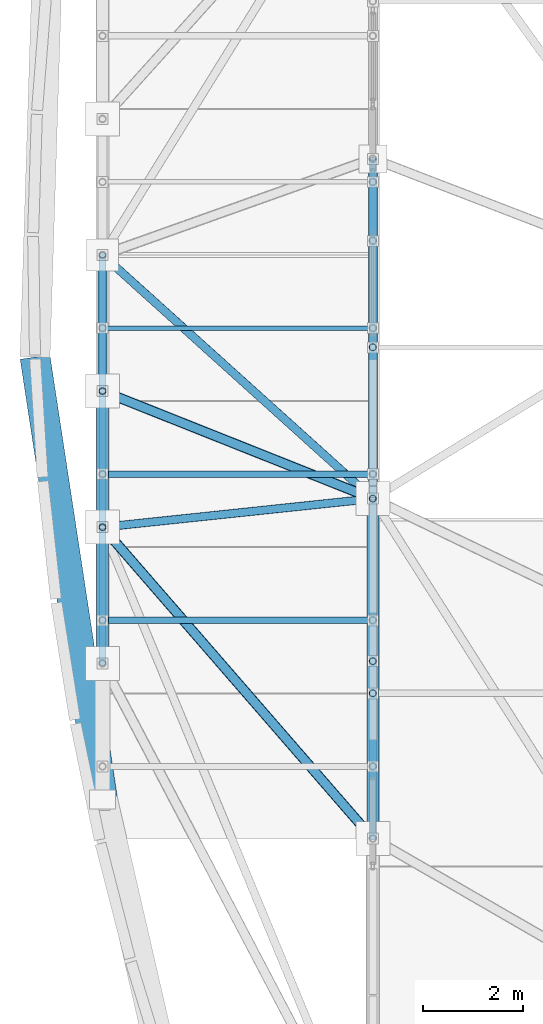
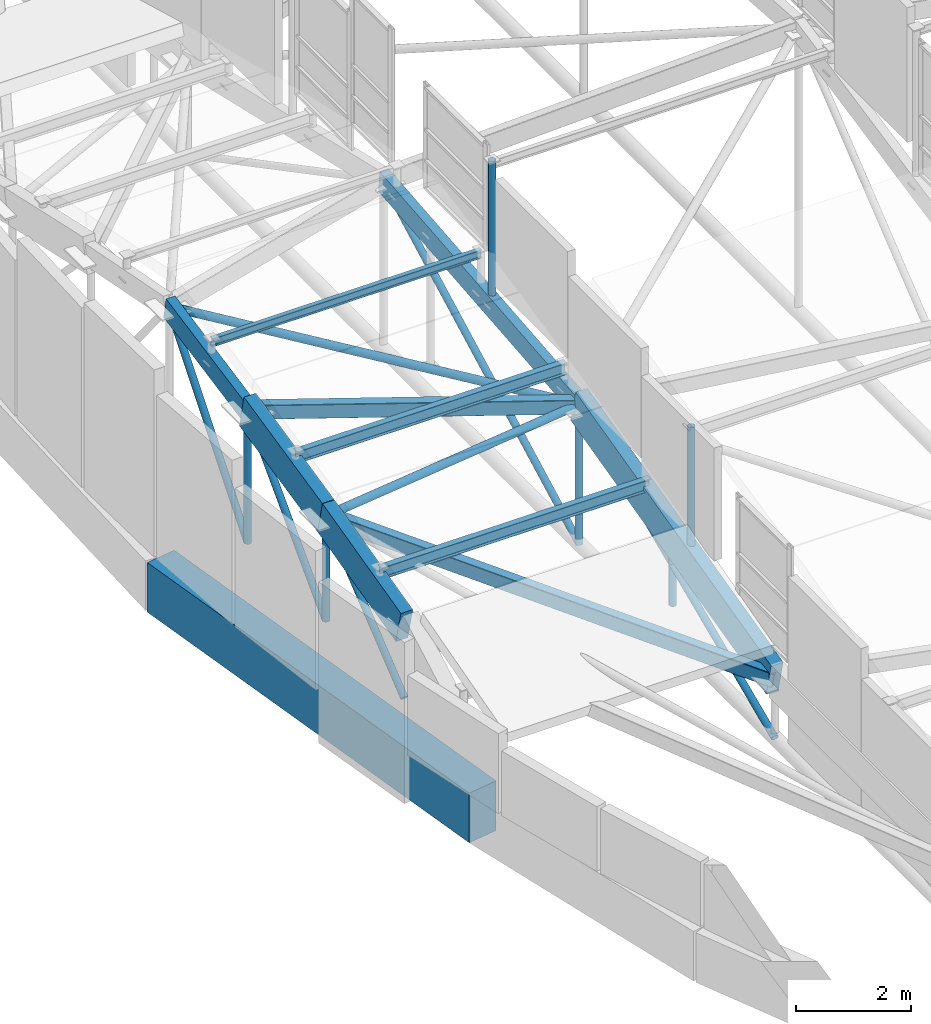
# One storey, part 14 of 188: 23 members, 1 beam.
"""IFC4 building model written with IfcOpenShell, lengths in metres."""

from ifc_helpers import new_model, si_unit, direction, frame, origin, origin_2d, place, context, subcontext, project, spatial, rectangle, hollow_rectangle, hollow_circle, i_section, extrude, material, material_profile, profile_set, type_object, element, save


model = new_model("IFC4")

# Units and contexts
model_context = context("Model", 3, precision=1e-05, world=origin(), true_north=direction((0.0, 1.0)))
body_context = subcontext(model_context, "Body", "Model", "MODEL_VIEW")
ifc_project = project(units=[si_unit("LENGTHUNIT", "METRE"), si_unit("AREAUNIT", "SQUARE_METRE"), si_unit("VOLUMEUNIT", "CUBIC_METRE"), si_unit("PLANEANGLEUNIT", "RADIAN"), si_unit("MASSUNIT", "GRAM", prefix="KILO")], contexts=[model_context])

# Site, building, storey
site_placement = place(None, origin())
site = spatial("IfcSite", under=ifc_project, at=site_placement, CompositionType="ELEMENT")
building_placement = place(site_placement, origin())
building = spatial("IfcBuilding", under=site, at=building_placement, Name="Kisaragi Civic Commons", CompositionType="ELEMENT")
storey_placement = place(building_placement, frame((0.0, 0.0, 9.60009765625)))
storey = spatial("IfcBuildingStorey", under=building, at=storey_placement, Name="L02", CompositionType="ELEMENT", Elevation=9.60009765625)

# Members
ifc_material_1 = material(Name="Steel SN400 (SN400B)", Category="steel")
ifc_material_profile_1 = material_profile(ifc_material_1, hollow_circle(Radius=0.08251953125, WallThickness=0.006103515625, at=origin_2d()), Name="CHS-165.2x6.0", Category="steel")
ifc_profile_set_1 = profile_set([ifc_material_profile_1], Name="Steel SN400 (SN400B)")
member_type_1 = type_object("IfcMemberType", Name="BR-02", PredefinedType="BRACE", material=ifc_profile_set_1)
member_1_placement = place(storey_placement, frame((1.39990234375, 27.876953125, 2.126953125), z_axis=(0.994195147912, 0.105042454933, 0.023282837679), x_axis=(-0.105070937774, 0.994464729407, 0.0)))
element("IfcMember", 1, at=member_1_placement, inside=storey, type_object=member_type_1, Name="V1 diagonal gridshell steel brace 2", PredefinedType="BRACE", context=body_context, shape_type="SweptSolid", body=[
    extrude(hollow_circle(Radius=0.08251953125, WallThickness=0.006103515625, at=origin_2d()), origin(), (0.0, 0.0, 1.0), 5.431640625),
])
member_2_placement = place(storey_placement, frame((1.39990234375, 33.3154296875, 3.260986328125), z_axis=(0.735729662319, -0.663217764681, -0.137273670437), x_axis=(0.669556348058, 0.742761264993, 0.0)))
element("IfcMember", 2, at=member_2_placement, inside=storey, type_object=member_type_1, Name="V1 diagonal gridshell steel brace 3", PredefinedType="BRACE", context=body_context, shape_type="SweptSolid", body=[
    extrude(hollow_circle(Radius=0.08251953125, WallThickness=0.006103515625, at=origin_2d()), origin(), (0.0, 0.0, 1.0), 7.33984375),
])

# Beam
ifc_material_2 = material(Name="Concrete Fc36", Category="concrete")
ifc_material_profile_2 = material_profile(ifc_material_2, rectangle(XDim=0.60009765625, YDim=1.050048828125, at=origin_2d()), Name="RC-600x1050", Category="concrete")
ifc_profile_set_2 = profile_set([ifc_material_profile_2], Name="Concrete Fc36")
beam_type = type_object("IfcBeamType", Name="G-06", PredefinedType="BEAM", material=ifc_profile_set_2)
beam_placement = place(storey_placement, frame((0.051513671875, 31.277099609375, -0.84521484375), z_axis=(0.150811558379, -0.988562529059, 0.0), x_axis=(0.988562529059, 0.150811558379, 0.0)))
element("IfcBeam", 3, at=beam_placement, inside=storey, type_object=beam_type, Name="L02 curved spandrel/ring girder G-06 259", PredefinedType="BEAM", context=body_context, shape_type="SweptSolid", body=[
    extrude(rectangle(XDim=0.60009765625, YDim=1.050048828125, at=origin_2d()), origin(), (0.0, 0.0, 1.0), 8.94091796875),
])

# Members
ifc_material_3 = material(Name="Steel SN490 (SN490B)", Category="steel")
ifc_material_profile_3 = material_profile(ifc_material_3, hollow_rectangle(XDim=0.199951171875, YDim=0.300048828125, WallThickness=0.009033203125, InnerFilletRadius=0.009033203125, OuterFilletRadius=0.01806640625, at=origin_2d()), Name="STKR-300x200x9", Category="steel")
ifc_profile_set_3 = profile_set([ifc_material_profile_3], Name="Steel SN490 (SN490B)")
member_type_2 = type_object("IfcMemberType", Name="GC-02", PredefinedType="CHORD", material=ifc_profile_set_3)
member_3_placement = place(storey_placement, frame((1.39990234375, 27.876953125, 2.126953125), z_axis=(0.644159250646, -0.741923281769, -0.186034146803), x_axis=(0.755104937561, 0.655603945436, 0.0)))
element("IfcMember", 4, at=member_3_placement, inside=storey, type_object=member_type_2, Name="V1 wave gridshell chord GC-02 2", PredefinedType="CHORD", context=body_context, shape_type="SweptSolid", body=[
    extrude(hollow_rectangle(XDim=0.199951171875, YDim=0.300048828125, WallThickness=0.009033203125, InnerFilletRadius=0.009033203125, OuterFilletRadius=0.01806640625, at=origin_2d()), origin(), (0.0, 0.0, 1.0), 8.38330078125),
])
member_4_placement = place(storey_placement, frame((1.39990234375, 30.59619140625, 2.729736328125), z_axis=(0.926045388742, -0.368467176017, -0.081681565778), x_axis=(0.369702545197, 0.929150164438, 0.0)))
element("IfcMember", 5, at=member_4_placement, inside=storey, type_object=member_type_2, Name="V1 wave gridshell chord GC-02 3", PredefinedType="CHORD", context=body_context, shape_type="SweptSolid", body=[
    extrude(hollow_rectangle(XDim=0.199951171875, YDim=0.300048828125, WallThickness=0.009033203125, InnerFilletRadius=0.009033203125, OuterFilletRadius=0.01806640625, at=origin_2d()), origin(), (0.0, 0.0, 1.0), 5.831298828125),
])
ifc_material_4 = material(Name="Glulam E120-F330", Category="wood")
ifc_material_profile_4 = material_profile(ifc_material_4, rectangle(XDim=0.239990234375, YDim=0.719970703125, at=origin_2d()), Name="GL-240x720", Category="wood")
ifc_profile_set_4 = profile_set([ifc_material_profile_4], Name="Glulam E120-F330")
member_type_3 = type_object("IfcMemberType", Name="GR-02", PredefinedType="RAFTER", material=ifc_profile_set_4)
member_5_placement = place(storey_placement, frame((1.39990234375, 25.15771484375, 1.45166015625), z_axis=(0.0, 0.97052061161, 0.241018137162), x_axis=(-1.0, 0.0, 0.0)))
element("IfcMember", 6, at=member_5_placement, inside=storey, type_object=member_type_3, Name="V1 glulam arch rib GR-02 2", PredefinedType="RAFTER", context=body_context, shape_type="SweptSolid", body=[
    extrude(rectangle(XDim=0.239990234375, YDim=0.719970703125, at=origin_2d()), origin(), (0.0, 0.0, 1.0), 2.8017578125),
])
member_6_placement = place(storey_placement, frame((1.39990234375, 27.876953125, 2.126953125), z_axis=(0.0, 0.976300362484, 0.216419967227), x_axis=(-1.0, 0.0, 0.0)))
element("IfcMember", 7, at=member_6_placement, inside=storey, type_object=member_type_3, Name="V1 glulam arch rib GR-02 3", PredefinedType="RAFTER", context=body_context, shape_type="SweptSolid", body=[
    extrude(rectangle(XDim=0.239990234375, YDim=0.719970703125, at=origin_2d()), origin(), (0.0, 0.0, 1.0), 2.78515625),
])
member_7_placement = place(storey_placement, frame((6.800048828125, 21.6572265625, 0.5673828125), z_axis=(0.0, 0.970529207183, 0.240983522267), x_axis=(-1.0, 0.0, 0.0)))
element("IfcMember", 8, at=member_7_placement, inside=storey, type_object=member_type_3, Name="V1 glulam arch rib GR-02 11", PredefinedType="RAFTER", context=body_context, shape_type="SweptSolid", body=[
    extrude(rectangle(XDim=0.239990234375, YDim=0.719970703125, at=origin_2d()), origin(), (0.0, 0.0, 1.0), 6.99658203125),
])
ifc_material_profile_5 = material_profile(ifc_material_4, rectangle(XDim=0.179931640625, YDim=0.449951171875, at=origin_2d()), Name="GL-180x450", Category="wood")
ifc_profile_set_5 = profile_set([ifc_material_profile_5], Name="Glulam E120-F330")
member_type_4 = type_object("IfcMemberType", Name="GR-05", PredefinedType="RAFTER", material=ifc_profile_set_5)
member_8_placement = place(storey_placement, frame((1.39990234375, 30.59619140625, 2.729736328125), z_axis=(0.0, 0.981445319543, 0.19174223517), x_axis=(-1.0, 0.0, 0.0)))
element("IfcMember", 9, at=member_8_placement, inside=storey, type_object=member_type_4, Name="V1 glulam arch rib GR-05 4", PredefinedType="RAFTER", context=body_context, shape_type="SweptSolid", body=[
    extrude(rectangle(XDim=0.179931640625, YDim=0.449951171875, at=origin_2d()), origin(), (0.0, 0.0, 1.0), 2.770751953125),
])
member_9_placement = place(storey_placement, frame((6.800048828125, 28.447509765625, 2.25341796875), z_axis=(0.0, 0.995672607404, 0.092930397959), x_axis=(-1.0, 0.0, 0.0)))
element("IfcMember", 10, at=member_9_placement, inside=storey, type_object=member_type_4, Name="V1 glulam arch rib GR-05 12", PredefinedType="RAFTER", context=body_context, shape_type="SweptSolid", body=[
    extrude(rectangle(XDim=0.179931640625, YDim=0.449951171875, at=origin_2d()), origin(), (0.0, 0.0, 1.0), 6.820068359375),
])
ifc_material_profile_6 = material_profile(ifc_material_1, i_section(OverallWidth=0.125, OverallDepth=0.25, WebThickness=0.006103515625, FlangeThickness=0.009033203125, FilletRadius=0.008056640625, at=origin_2d()), Name="H-250x125x6x9", Category="steel")
ifc_profile_set_6 = profile_set([ifc_material_profile_6], Name="Steel SN400 (SN400B)")
member_type_5 = type_object("IfcMemberType", Name="PR-01", PredefinedType="PURLIN", material=ifc_profile_set_6)
for number, where, z_axis, x_axis, name in (
    (11, (1.39990234375, 26.017333984375, 2.056884765625), (1.0, 0.0, 0.0), (0.0, 1.0, 0.0), "V1 wave vault steel purlin 2"),
    (12, (1.39990234375, 28.9365234375, 2.747802734375), (1.0, 0.0, 0.0), (0.0, 1.0, 0.0), "V1 wave vault steel purlin 3"),
):
    element("IfcMember", number, at=place(storey_placement, frame(where, z_axis=z_axis, x_axis=x_axis)), inside=storey, type_object=member_type_5, Name=name, PredefinedType="PURLIN", context=body_context, shape_type="SweptSolid", body=[
        extrude(i_section(OverallWidth=0.125, OverallDepth=0.25, WebThickness=0.006103515625, FlangeThickness=0.009033203125, FilletRadius=0.008056640625, at=origin_2d()), origin(), (0.0, 0.0, 1.0), 5.400146484375),
    ])
ifc_material_profile_7 = material_profile(ifc_material_1, i_section(OverallWidth=0.090087890625, OverallDepth=0.175048828125, WebThickness=0.0048828125, FlangeThickness=0.008056640625, FilletRadius=0.008056640625, at=origin_2d()), Name="H-175x90x5x8", Category="steel")
ifc_profile_set_7 = profile_set([ifc_material_profile_7], Name="Steel SN400 (SN400B)")
member_type_6 = type_object("IfcMemberType", Name="PR-03", PredefinedType="PURLIN", material=ifc_profile_set_7)
member_10_placement = place(storey_placement, frame((1.39990234375, 31.855712890625, 3.399169921875), z_axis=(1.0, 0.0, 0.0), x_axis=(0.0, 1.0, 0.0)))
element("IfcMember", 13, at=member_10_placement, inside=storey, type_object=member_type_6, Name="V1 wave vault steel purlin 4", PredefinedType="PURLIN", context=body_context, shape_type="SweptSolid", body=[
    extrude(i_section(OverallWidth=0.090087890625, OverallDepth=0.175048828125, WebThickness=0.0048828125, FlangeThickness=0.008056640625, FilletRadius=0.008056640625, at=origin_2d()), origin(), (0.0, 0.0, 1.0), 5.400146484375),
])
ifc_material_profile_8 = material_profile(ifc_material_3, hollow_circle(Radius=0.06982421875, WallThickness=0.006103515625, at=origin_2d()), Name="CHS-139.8x6.0", Category="steel")
ifc_profile_set_8 = profile_set([ifc_material_profile_8], Name="Steel SN490 (SN490B)")
member_type_7 = type_object("IfcMemberType", Name="ST-H1", PredefinedType="STRUT", material=ifc_profile_set_8)
member_11_placement = place(storey_placement, frame((1.39990234375, 27.876953125, -0.080078125), z_axis=(0.0, 0.0, 1.0), x_axis=(1.0, 0.0, 0.0)))
element("IfcMember", 14, at=member_11_placement, inside=storey, type_object=member_type_7, Name="V1 arch tie hanger strut 3", PredefinedType="STRUT", context=body_context, shape_type="SweptSolid", body=[
    extrude(hollow_circle(Radius=0.06982421875, WallThickness=0.006103515625, at=origin_2d()), origin(), (0.0, 0.0, 1.0), 2.20703125),
])
member_12_placement = place(storey_placement, frame((1.39990234375, 30.59619140625, -0.080078125), z_axis=(0.0, 0.0, 1.0), x_axis=(1.0, 0.0, 0.0)))
element("IfcMember", 15, at=member_12_placement, inside=storey, type_object=member_type_7, Name="V1 arch tie hanger strut 4", PredefinedType="STRUT", context=body_context, shape_type="SweptSolid", body=[
    extrude(hollow_circle(Radius=0.06982421875, WallThickness=0.006103515625, at=origin_2d()), origin(), (0.0, 0.0, 1.0), 2.809814453125),
])
member_13_placement = place(storey_placement, frame((1.39990234375, 25.15771484375, -0.080078125), z_axis=(0.0, 0.776442275189, 0.630188379216), x_axis=(-1.0, 0.0, 0.0)))
element("IfcMember", 16, at=member_13_placement, inside=storey, type_object=member_type_7, Name="V1 tied arch truss diagonal web strut 9", PredefinedType="STRUT", context=body_context, shape_type="SweptSolid", body=[
    extrude(hollow_circle(Radius=0.06982421875, WallThickness=0.006103515625, at=origin_2d()), origin(), (0.0, 0.0, 1.0), 3.502197265625),
])
member_14_placement = place(storey_placement, frame((1.39990234375, 27.876953125, -0.080078125), z_axis=(0.0, 0.695429748006, 0.718594089586), x_axis=(-1.0, 0.0, 0.0)))
element("IfcMember", 17, at=member_14_placement, inside=storey, type_object=member_type_7, Name="V1 tied arch truss diagonal web strut 10", PredefinedType="STRUT", context=body_context, shape_type="SweptSolid", body=[
    extrude(hollow_circle(Radius=0.06982421875, WallThickness=0.006103515625, at=origin_2d()), origin(), (0.0, 0.0, 1.0), 3.91015625),
])
member_15_placement = place(storey_placement, frame((1.39990234375, 30.59619140625, -0.080078125), z_axis=(0.0, 0.631238893952, 0.775588459663), x_axis=(-1.0, 0.0, 0.0)))
element("IfcMember", 18, at=member_15_placement, inside=storey, type_object=member_type_7, Name="V1 tied arch truss diagonal web strut 11", PredefinedType="STRUT", context=body_context, shape_type="SweptSolid", body=[
    extrude(hollow_circle(Radius=0.06982421875, WallThickness=0.006103515625, at=origin_2d()), origin(), (0.0, 0.0, 1.0), 4.307861328125),
])
member_16_placement = place(storey_placement, frame((6.800048828125, 28.447509765625, -0.691162109375), z_axis=(0.0, 0.0, 1.0), x_axis=(1.0, 0.0, 0.0)))
element("IfcMember", 19, at=member_16_placement, inside=storey, type_object=member_type_7, Name="V1 arch tie hanger strut 18", PredefinedType="STRUT", context=body_context, shape_type="SweptSolid", body=[
    extrude(hollow_circle(Radius=0.06982421875, WallThickness=0.006103515625, at=origin_2d()), origin(), (0.0, 0.0, 1.0), 2.944580078125),
])
member_17_placement = place(storey_placement, frame((6.800048828125, 21.6572265625, -0.691162109375), z_axis=(0.0, 0.917450894833, 0.397849036155), x_axis=(-1.0, 0.0, 0.0)))
element("IfcMember", 20, at=member_17_placement, inside=storey, type_object=member_type_7, Name="V1 tied arch truss diagonal web strut 24", PredefinedType="STRUT", context=body_context, shape_type="SweptSolid", body=[
    extrude(hollow_circle(Radius=0.06982421875, WallThickness=0.006103515625, at=origin_2d()), origin(), (0.0, 0.0, 1.0), 7.4013671875),
])
member_18_placement = place(storey_placement, frame((6.800048828125, 28.447509765625, -0.691162109375), z_axis=(0.0, 0.88468145261, 0.466196018225), x_axis=(-1.0, 0.0, 0.0)))
element("IfcMember", 21, at=member_18_placement, inside=storey, type_object=member_type_7, Name="V1 tied arch truss diagonal web strut 25", PredefinedType="STRUT", context=body_context, shape_type="SweptSolid", body=[
    extrude(hollow_circle(Radius=0.06982421875, WallThickness=0.006103515625, at=origin_2d()), origin(), (0.0, 0.0, 1.0), 7.67578125),
])
member_19_placement = place(storey_placement, frame((6.800048828125, 25.199951171875, -0.02001953125), z_axis=(0.0, 0.0, 1.0), x_axis=(1.0, 0.0, 0.0)))
element("IfcMember", 22, at=member_19_placement, inside=storey, type_object=member_type_7, Name="V1 interior column arch support post (6.8,25.2)", PredefinedType="STRUT", context=body_context, shape_type="SweptSolid", body=[
    extrude(hollow_circle(Radius=0.06982421875, WallThickness=0.006103515625, at=origin_2d()), origin(), (0.0, 0.0, 1.0), 1.467041015625),
])
member_20_placement = place(storey_placement, frame((6.800048828125, 24.55859375, 1.28759765625), z_axis=(0.0, 0.0, 1.0), x_axis=(1.0, 0.0, 0.0)))
element("IfcMember", 23, at=member_20_placement, inside=storey, type_object=member_type_7, Name="V1 clerestory monitor horizontal tie strut 2.1.3", PredefinedType="STRUT", context=body_context, shape_type="SweptSolid", body=[
    extrude(hollow_circle(Radius=0.06982421875, WallThickness=0.006103515625, at=origin_2d()), origin(), (0.0, 0.0, 1.0), 2.872802734375),
])
member_21_placement = place(storey_placement, frame((6.800048828125, 31.4716796875, 2.53564453125), z_axis=(0.0, 0.0, 1.0), x_axis=(1.0, 0.0, 0.0)))
element("IfcMember", 24, at=member_21_placement, inside=storey, type_object=member_type_7, Name="V1 clerestory monitor horizontal tie strut 2.1.4", PredefinedType="STRUT", context=body_context, shape_type="SweptSolid", body=[
    extrude(hollow_circle(Radius=0.06982421875, WallThickness=0.006103515625, at=origin_2d()), origin(), (0.0, 0.0, 1.0), 3.0693359375),
])

save(model, "model.ifc")
